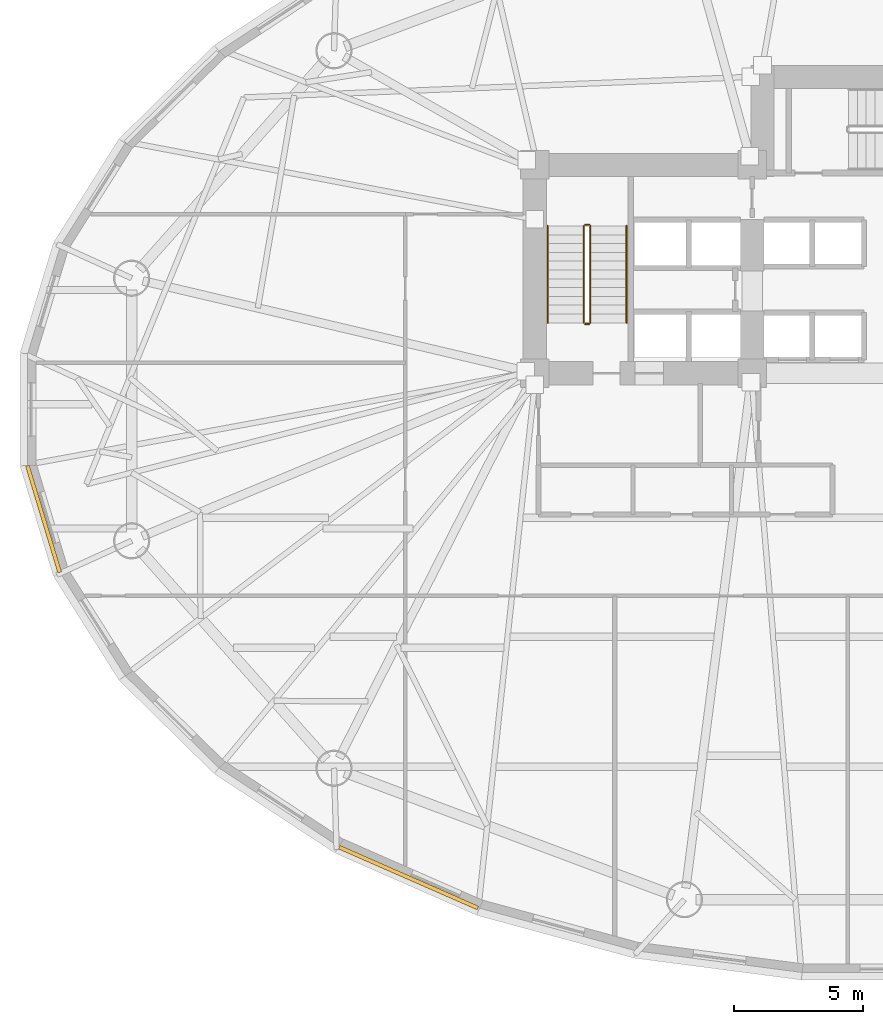
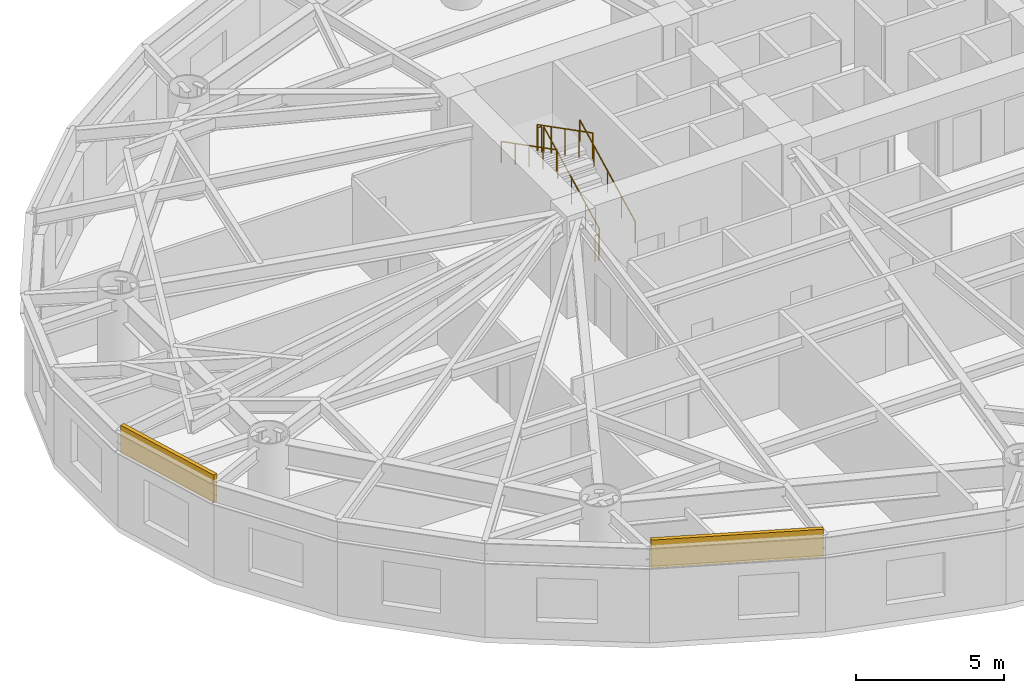
# One storey, part 10 of 14: 6 railings, 2 coverings.
"""IFC4 building model written with IfcOpenShell, lengths in metres."""

from ifc_helpers import new_model, si_unit, direction, frame, origin, origin_2d, place, context, subcontext, project, spatial, rectangle, circle, extrude, material, layer, layer_set, type_object, element, save


model = new_model("IFC4")

# Units and contexts
model_context = context("Model", 3, precision=1e-05, world=origin(), true_north=direction((0.0, 1.0)))
body_context = subcontext(model_context, "Body", "Model", "MODEL_VIEW")
ifc_project = project(units=[si_unit("LENGTHUNIT", "METRE"), si_unit("AREAUNIT", "SQUARE_METRE"), si_unit("VOLUMEUNIT", "CUBIC_METRE"), si_unit("PLANEANGLEUNIT", "RADIAN"), si_unit("MASSUNIT", "GRAM", prefix="KILO")], contexts=[model_context])

# Site, building, storey
site_placement = place(None, origin())
site = spatial("IfcSite", under=ifc_project, at=site_placement, CompositionType="ELEMENT")
building_placement = place(site_placement, origin())
building = spatial("IfcBuilding", under=site, at=building_placement, Name="Keldmark Tower", CompositionType="ELEMENT")
storey_placement = place(building_placement, frame((0.0, 0.0, 18.60009765625)))
storey = spatial("IfcBuildingStorey", under=building, at=storey_placement, Name="L04", CompositionType="ELEMENT", Elevation=18.60009765625)

# Coverings
ifc_material_1 = material(Name="Honed Kasota Buff Dolomitic Limestone", Category="masonry")
ifc_layer = layer(ifc_material_1, 0.074951171875)
ifc_layer_set = layer_set([ifc_layer], Name="Honed Kasota Buff Dolomitic Limestone")
covering_type = type_object("IfcCoveringType", Name="Kasota Buff Limestone Spandrel Cladding Band", PredefinedType="CLADDING", material=ifc_layer_set)
covering_1_placement = place(storey_placement, frame((-32.57373046875, -4.233642578125, 3.032958984375), z_axis=(0.0, 0.0, 1.0), x_axis=(0.289883809569, -0.957061845938, 0.0)))
element("IfcCovering", 1, at=covering_1_placement, inside=storey, type_object=covering_type, Name="L04 Kasota Limestone Spandrel Band 17", PredefinedType="CLADDING", context=body_context, shape_type="SweptSolid", body=[
    extrude(rectangle(XDim=4.2998046875, YDim=0.14990234375, at=origin_2d()), origin(), (0.0, 0.0, 1.0), 1.14697265625),
])
covering_2_placement = place(storey_placement, frame((-18.4697265625, -18.085205078125, 3.032958984375), z_axis=(0.0, 0.0, 1.0), x_axis=(0.915711693691, -0.401835904367, 0.0)))
element("IfcCovering", 2, at=covering_2_placement, inside=storey, type_object=covering_type, Name="L04 Kasota Limestone Spandrel Band 21", PredefinedType="CLADDING", context=body_context, shape_type="SweptSolid", body=[
    extrude(rectangle(XDim=5.843017578125, YDim=0.14990234375, at=origin_2d()), origin(), (0.0, 0.0, 1.0), 1.14697265625),
])

# Railings
ifc_material_2 = material(Name="Painted Steel ASTM A500 Grade B", Category="steel")
railing_type_1 = type_object("IfcRailingType", Name="Painted Steel Stair Well Guard 1100 mm", PredefinedType="GUARDRAIL", material=ifc_material_2)
railing_1_placement = place(storey_placement, frame((-11.449951171875, 3.35009765625, 0.1748046875)))
element("IfcRailing", 3, at=railing_1_placement, inside=storey, type_object=railing_type_1, Name="L04 ST1 stair guard 1", PredefinedType="GUARDRAIL", context=body_context, shape_type="SweptSolid", body=[
    extrude(circle(Radius=0.02392578125, at=origin_2d()), frame((0.0, 0.0, 1.076171875), z_axis=(0.0, 0.889130600629, 0.457653553493), x_axis=(-1.0, 0.0, 0.0)), (0.0, 0.0, 1.0), 4.206298828125),
    extrude(circle(Radius=0.02099609375, at=origin_2d()), origin(), (0.0, 0.0, 1.0), 1.052001953125),
    extrude(circle(Radius=0.02099609375, at=origin_2d()), frame((0.0, 0.93505859375, 0.481201171875)), (0.0, 0.0, 1.0), 1.052001953125),
    extrude(circle(Radius=0.02099609375, at=origin_2d()), frame((0.0, 1.8701171875, 0.96240234375)), (0.0, 0.0, 1.0), 1.052001953125),
    extrude(circle(Radius=0.02099609375, at=origin_2d()), frame((0.0, 2.804931640625, 1.44384765625)), (0.0, 0.0, 1.0), 1.052001953125),
    extrude(circle(Radius=0.02099609375, at=origin_2d()), frame((0.0, 3.739990234375, 1.925048828125)), (0.0, 0.0, 1.0), 1.052001953125),
])
railing_2_placement = place(storey_placement, frame((-11.5, 7.139892578125, 2.099853515625)))
element("IfcRailing", 4, at=railing_2_placement, inside=storey, type_object=railing_type_1, Name="L04 ST1 stair guard 2", PredefinedType="GUARDRAIL", context=body_context, shape_type="SweptSolid", body=[
    extrude(circle(Radius=0.02392578125, at=origin_2d()), frame((0.0, 0.0, 1.076171875), z_axis=(-1.0, 0.0, 0.0), x_axis=(0.0, -1.0, 0.0)), (0.0, 0.0, 1.0), 0.14990234375),
    extrude(circle(Radius=0.02099609375, at=origin_2d()), origin(), (0.0, 0.0, 1.0), 1.052001953125),
    extrude(circle(Radius=0.02099609375, at=origin_2d()), frame((-0.14990234375, 0.0, 0.0)), (0.0, 0.0, 1.0), 1.052001953125),
])
railing_3_placement = place(storey_placement, frame((-11.699951171875, 7.090087890625, 2.27490234375)))
element("IfcRailing", 5, at=railing_3_placement, inside=storey, type_object=railing_type_1, Name="L04 ST1 stair guard 3", PredefinedType="GUARDRAIL", context=body_context, shape_type="SweptSolid", body=[
    extrude(circle(Radius=0.02392578125, at=origin_2d()), frame((0.0, 0.0, 1.076171875), z_axis=(0.0, -0.889130600629, 0.457653553493), x_axis=(1.0, 0.0, 0.0)), (0.0, 0.0, 1.0), 4.206298828125),
    extrude(circle(Radius=0.02099609375, at=origin_2d()), origin(), (0.0, 0.0, 1.0), 1.052001953125),
    extrude(circle(Radius=0.02099609375, at=origin_2d()), frame((0.0, -0.93505859375, 0.481201171875)), (0.0, 0.0, 1.0), 1.052001953125),
    extrude(circle(Radius=0.02099609375, at=origin_2d()), frame((0.0, -1.8701171875, 0.96240234375)), (0.0, 0.0, 1.0), 1.052001953125),
    extrude(circle(Radius=0.02099609375, at=origin_2d()), frame((0.0, -2.804931640625, 1.44384765625)), (0.0, 0.0, 1.0), 1.052001953125),
    extrude(circle(Radius=0.02099609375, at=origin_2d()), frame((0.0, -3.739990234375, 1.925048828125)), (0.0, 0.0, 1.0), 1.052001953125),
])
railing_4_placement = place(storey_placement, frame((-11.5, 3.300048828125, 0.0)))
element("IfcRailing", 6, at=railing_4_placement, inside=storey, type_object=railing_type_1, Name="L04 ST1 stair guard 4", PredefinedType="GUARDRAIL", context=body_context, shape_type="SweptSolid", body=[
    extrude(circle(Radius=0.02392578125, at=origin_2d()), frame((0.0, 0.0, 1.076171875), z_axis=(-1.0, 0.0, 0.0), x_axis=(0.0, -1.0, 0.0)), (0.0, 0.0, 1.0), 0.14990234375),
    extrude(circle(Radius=0.02099609375, at=origin_2d()), origin(), (0.0, 0.0, 1.0), 1.052001953125),
    extrude(circle(Radius=0.02099609375, at=origin_2d()), frame((-0.14990234375, 0.0, 0.0)), (0.0, 0.0, 1.0), 1.052001953125),
])
ifc_material_3 = material(Name="Stainless Steel AISI 316L", Category="steel")
railing_type_2 = type_object("IfcRailingType", Name="Stainless Steel Stair Handrail 900 mm", PredefinedType="HANDRAIL", material=ifc_material_3)
railing_5_placement = place(storey_placement, frame((-10.050048828125, 3.35009765625, 0.1748046875)))
element("IfcRailing", 7, at=railing_5_placement, inside=storey, type_object=railing_type_2, Name="L04 ST1 stair handrail 1", PredefinedType="HANDRAIL", context=body_context, shape_type="SweptSolid", body=[
    extrude(circle(Radius=0.02392578125, at=origin_2d()), frame((0.0, 0.0, 0.8759765625), z_axis=(0.0, 0.889130600629, 0.457653553493), x_axis=(-1.0, 0.0, 0.0)), (0.0, 0.0, 1.0), 4.206298828125),
    extrude(circle(Radius=0.02099609375, at=origin_2d()), origin(), (0.0, 0.0, 1.0), 0.851806640625),
    extrude(circle(Radius=0.02099609375, at=origin_2d()), frame((0.0, 0.93505859375, 0.481201171875)), (0.0, 0.0, 1.0), 0.851806640625),
    extrude(circle(Radius=0.02099609375, at=origin_2d()), frame((0.0, 1.8701171875, 0.96240234375)), (0.0, 0.0, 1.0), 0.851806640625),
    extrude(circle(Radius=0.02099609375, at=origin_2d()), frame((0.0, 2.804931640625, 1.44384765625)), (0.0, 0.0, 1.0), 0.851806640625),
    extrude(circle(Radius=0.02099609375, at=origin_2d()), frame((0.0, 3.739990234375, 1.925048828125)), (0.0, 0.0, 1.0), 0.851806640625),
])
railing_6_placement = place(storey_placement, frame((-13.10009765625, 7.090087890625, 2.27490234375)))
element("IfcRailing", 8, at=railing_6_placement, inside=storey, type_object=railing_type_2, Name="L04 ST1 stair handrail 2", PredefinedType="HANDRAIL", context=body_context, shape_type="SweptSolid", body=[
    extrude(circle(Radius=0.02392578125, at=origin_2d()), frame((0.0, 0.0, 0.8759765625), z_axis=(0.0, -0.889130600629, 0.457653553493), x_axis=(1.0, 0.0, 0.0)), (0.0, 0.0, 1.0), 4.206298828125),
    extrude(circle(Radius=0.02099609375, at=origin_2d()), origin(), (0.0, 0.0, 1.0), 0.851806640625),
    extrude(circle(Radius=0.02099609375, at=origin_2d()), frame((0.0, -0.93505859375, 0.481201171875)), (0.0, 0.0, 1.0), 0.851806640625),
    extrude(circle(Radius=0.02099609375, at=origin_2d()), frame((0.0, -1.8701171875, 0.96240234375)), (0.0, 0.0, 1.0), 0.851806640625),
    extrude(circle(Radius=0.02099609375, at=origin_2d()), frame((0.0, -2.804931640625, 1.44384765625)), (0.0, 0.0, 1.0), 0.851806640625),
    extrude(circle(Radius=0.02099609375, at=origin_2d()), frame((0.0, -3.739990234375, 1.925048828125)), (0.0, 0.0, 1.0), 0.851806640625),
])

save(model, "model.ifc")
